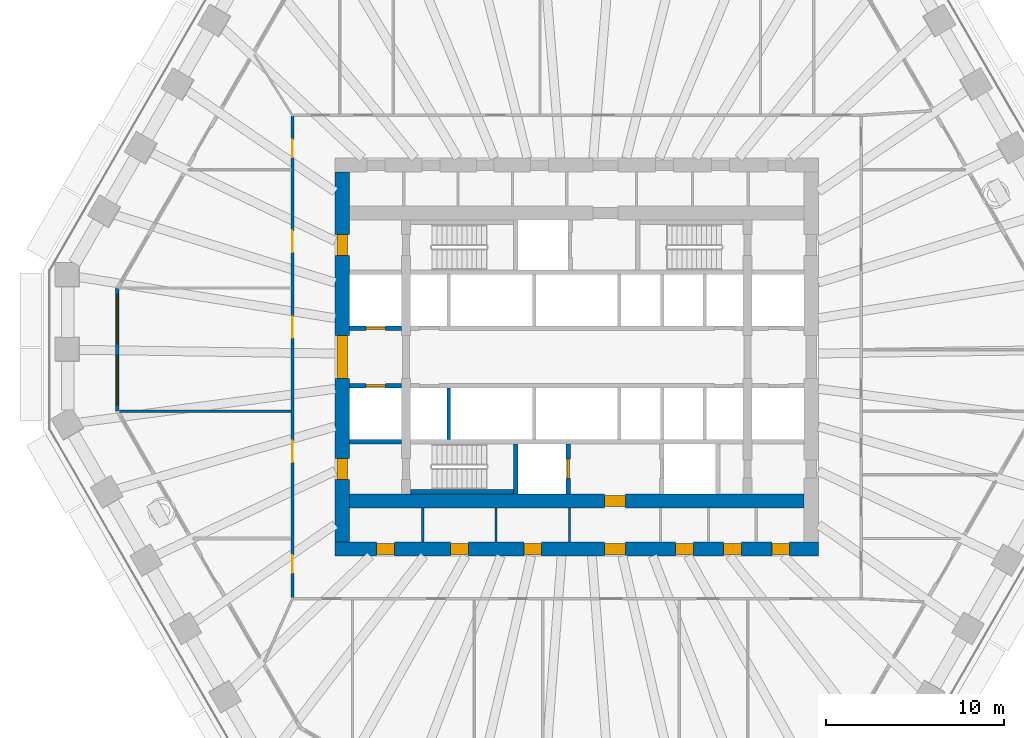
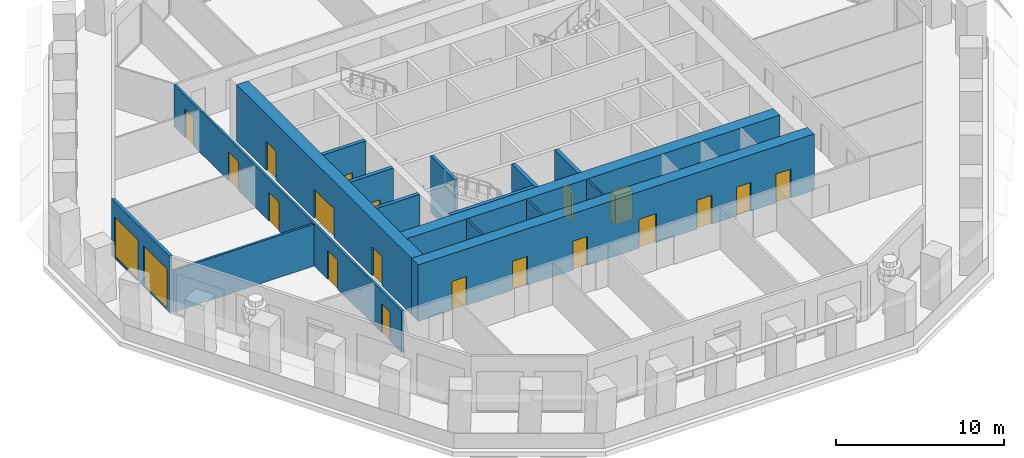
# One storey, part 4 of 13: 19 doors, 16 walls, 2 windows, 21 openings.
"""IFC4 building model written with IfcOpenShell, lengths in metres."""

from ifc_helpers import new_model, si_unit, direction, frame, frame_2d, origin, place, context, subcontext, project, spatial, polyline, rectangle, outline, extrude, material, layer, layer_set, type_object, element, fill, save


model = new_model("IFC4")

# Units and contexts
model_context = context("Model", 3, precision=1e-05, world=origin(), true_north=direction((0.0, 1.0)))
body_context = subcontext(model_context, "Body", "Model", "MODEL_VIEW")
ifc_project = project(units=[si_unit("LENGTHUNIT", "METRE"), si_unit("AREAUNIT", "SQUARE_METRE"), si_unit("VOLUMEUNIT", "CUBIC_METRE"), si_unit("PLANEANGLEUNIT", "RADIAN"), si_unit("MASSUNIT", "GRAM", prefix="KILO")], contexts=[model_context])

# Site, building, storey
site_placement = place(None, origin())
site = spatial("IfcSite", under=ifc_project, at=site_placement, CompositionType="ELEMENT")
building_placement = place(site_placement, origin())
building = spatial("IfcBuilding", under=site, at=building_placement, Name="Frailejon Research Tower", CompositionType="ELEMENT")
storey_placement = place(building_placement, frame((0.0, 0.0, 94.0)))
storey = spatial("IfcBuildingStorey", under=building, at=storey_placement, Name="L20", CompositionType="ELEMENT", Elevation=94.0)

# Walls
ifc_material_1 = material(Name="Plasterboard on steel studs", Category="steel")
ifc_layer_1 = layer(ifc_material_1, 0.125)
ifc_layer_set_1 = layer_set([ifc_layer_1], Name="Core partition 125")
wall_type_1 = type_object("IfcWallType", Name="Core partition 125", PredefinedType="PARTITIONING", material=ifc_layer_set_1)
for number, where, z_axis, x_axis, name in (
    (1, (-8.6708984375, -10.39990234375, 0.0), (0.0, 0.0, 1.0), (0.0, 1.0, 0.0), "Core partition"),
    (2, (-4.541748046875, -10.39990234375, 0.0), (0.0, 0.0, 1.0), (0.0, 1.0, 0.0), "Core partition"),
    (3, (-0.41259765625, -10.39990234375, 0.0), (0.0, 0.0, 1.0), (0.0, 1.0, 0.0), "Core partition"),
):
    element("IfcWall", number, at=place(storey_placement, frame(where, z_axis=z_axis, x_axis=x_axis)), inside=storey, type_object=wall_type_1, Name=name, PredefinedType="PARTITIONING", context=body_context, shape_type="SweptSolid", body=[
        extrude(rectangle(XDim=1.89990234375, YDim=0.125, at=frame_2d((0.949951171875, 0.0))), origin(), (0.0, 0.0, 1.0), 4.10009765625),
    ])

# Wall, openings, doors
ifc_material_2 = material(Name="Concrete C70/85", Category="concrete")
ifc_layer_2 = layer(ifc_material_2, 0.800048828125)
ifc_layer_set_2 = layer_set([ifc_layer_2], Name="Core shear wall 800 C70/85")
wall_type_2 = type_object("IfcWallType", Name="Core shear wall 800 C70/85", PredefinedType="SHEAR", material=ifc_layer_set_2)
wall_1_placement = place(storey_placement, frame((-13.60009765625, -10.800048828125, 0.0), z_axis=(0.0, 0.0, 1.0), x_axis=(1.0, 0.0, 0.0)))
wall_1 = element("IfcWall", 4, at=wall_1_placement, inside=storey, type_object=wall_type_2, Name="Core shear wall", PredefinedType="SHEAR", context=body_context, shape_type="SweptSolid", body=[
    extrude(rectangle(XDim=27.2001953125, YDim=0.800048828125, at=frame_2d((13.60009765625, 0.0))), origin(), (0.0, 0.0, 1.0), 4.10009765625),
])
opening_1_placement = place(wall_1_placement, frame((2.333251953125, 0.0, 0.0)))
opening_1 = element("IfcOpeningElement", 5, at=opening_1_placement, cuts=wall_1, Name="Opening D4", PredefinedType="OPENING", context=body_context, shape_type="SweptSolid", body=[
    extrude(rectangle(XDim=1.0, YDim=2.10009765625, at=frame_2d((0.5, 1.050048828125))), frame((0.0, 0.409912109375, 0.0), z_axis=(0.0, -1.0, 0.0), x_axis=(1.0, 0.0, 0.0)), (0.0, 0.0, 1.0), 0.820068359375),
])
opening_2_placement = place(wall_1_placement, frame((6.493896484375, 0.0, 0.0)))
opening_2 = element("IfcOpeningElement", 6, at=opening_2_placement, cuts=wall_1, Name="Opening D4", PredefinedType="OPENING", context=body_context, shape_type="SweptSolid", body=[
    extrude(rectangle(XDim=1.0, YDim=2.10009765625, at=frame_2d((0.5, 1.050048828125))), frame((0.0, 0.409912109375, 0.0), z_axis=(0.0, -1.0, 0.0), x_axis=(1.0, 0.0, 0.0)), (0.0, 0.0, 1.0), 0.820068359375),
])
opening_3_placement = place(wall_1_placement, frame((10.622802734375, 0.0, 0.0)))
opening_3 = element("IfcOpeningElement", 7, at=opening_3_placement, cuts=wall_1, Name="Opening D4", PredefinedType="OPENING", context=body_context, shape_type="SweptSolid", body=[
    extrude(rectangle(XDim=1.0, YDim=2.10009765625, at=frame_2d((0.5, 1.050048828125))), frame((0.0, 0.409912109375, 0.0), z_axis=(0.0, -1.0, 0.0), x_axis=(1.0, 0.0, 0.0)), (0.0, 0.0, 1.0), 0.820068359375),
])
opening_4_placement = place(wall_1_placement, frame((19.160400390625, 0.0, 0.0)))
opening_4 = element("IfcOpeningElement", 8, at=opening_4_placement, cuts=wall_1, Name="Opening D4", PredefinedType="OPENING", context=body_context, shape_type="SweptSolid", body=[
    extrude(rectangle(XDim=1.0, YDim=2.10009765625, at=frame_2d((0.5, 1.050048828125))), frame((0.0, 0.409912109375, 0.0), z_axis=(0.0, -1.0, 0.0), x_axis=(1.0, 0.0, 0.0)), (0.0, 0.0, 1.0), 0.820068359375),
])
opening_5_placement = place(wall_1_placement, frame((21.856201171875, 0.0, 0.0)))
opening_5 = element("IfcOpeningElement", 9, at=opening_5_placement, cuts=wall_1, Name="Opening D4", PredefinedType="OPENING", context=body_context, shape_type="SweptSolid", body=[
    extrude(rectangle(XDim=1.0, YDim=2.10009765625, at=frame_2d((0.5, 1.050048828125))), frame((0.0, 0.409912109375, 0.0), z_axis=(0.0, -1.0, 0.0), x_axis=(1.0, 0.0, 0.0)), (0.0, 0.0, 1.0), 0.820068359375),
])
opening_6_placement = place(wall_1_placement, frame((24.583251953125, 0.0, 0.0)))
opening_6 = element("IfcOpeningElement", 10, at=opening_6_placement, cuts=wall_1, Name="Opening D4", PredefinedType="OPENING", context=body_context, shape_type="SweptSolid", body=[
    extrude(rectangle(XDim=1.0, YDim=2.10009765625, at=frame_2d((0.5, 1.050048828125))), frame((0.0, 0.409912109375, 0.0), z_axis=(0.0, -1.0, 0.0), x_axis=(1.0, 0.0, 0.0)), (0.0, 0.0, 1.0), 0.820068359375),
])
opening_7_placement = place(wall_1_placement, frame((15.14990234375, 0.0, 0.0)))
opening_7 = element("IfcOpeningElement", 11, at=opening_7_placement, cuts=wall_1, Name="Opening D3", PredefinedType="OPENING", context=body_context, shape_type="SweptSolid", body=[
    extrude(rectangle(XDim=1.199951171875, YDim=2.10009765625, at=frame_2d((0.60009765625, 1.050048828125))), frame((0.0, 0.409912109375, 0.0), z_axis=(0.0, -1.0, 0.0), x_axis=(1.0, 0.0, 0.0)), (0.0, 0.0, 1.0), 0.820068359375),
])
ifc_material_3 = material(Name="Steel", Category="steel")
door_type_1 = type_object("IfcDoorType", Name="Firefighting lobby door", OperationType="SINGLE_SWING_LEFT", PredefinedType="DOOR", material=ifc_material_3)
door_1_placement = place(opening_7_placement, origin())
door_1 = element("IfcDoor", 12, at=door_1_placement, inside=storey, type_object=door_type_1, Name="Passage door", OperationType="SINGLE_SWING_LEFT", OverallHeight=2.10009765625, OverallWidth=1.199951171875, PredefinedType="DOOR", context=body_context, shape_type="SweptSolid", body=[
    extrude(rectangle(XDim=1.199951171875, YDim=2.10009765625, at=frame_2d((0.60009765625, 1.050048828125))), frame((0.0, 0.300048828125, 0.0), z_axis=(0.0, -1.0, 0.0), x_axis=(1.0, 0.0, 0.0)), (0.0, 0.0, 1.0), 0.60009765625),
])
fill(opening_7, door_1)
ifc_material_4 = material(Name="Steel", Category="steel")
door_type_2 = type_object("IfcDoorType", Name="Service door", OperationType="SINGLE_SWING_LEFT", PredefinedType="DOOR", material=ifc_material_4)
door_2_placement = place(opening_1_placement, origin())
door_2 = element("IfcDoor", 13, at=door_2_placement, inside=storey, type_object=door_type_2, Name="Room door", OperationType="SINGLE_SWING_LEFT", OverallHeight=2.10009765625, OverallWidth=1.0, PredefinedType="DOOR", context=body_context, shape_type="SweptSolid", body=[
    extrude(rectangle(XDim=1.0, YDim=2.10009765625, at=frame_2d((0.5, 1.050048828125))), frame((0.0, 0.300048828125, 0.0), z_axis=(0.0, -1.0, 0.0), x_axis=(1.0, 0.0, 0.0)), (0.0, 0.0, 1.0), 0.60009765625),
])
fill(opening_1, door_2)
door_3_placement = place(opening_2_placement, origin())
door_3 = element("IfcDoor", 14, at=door_3_placement, inside=storey, type_object=door_type_2, Name="Room door", OperationType="SINGLE_SWING_RIGHT", OverallHeight=2.10009765625, OverallWidth=1.0, PredefinedType="DOOR", context=body_context, shape_type="SweptSolid", body=[
    extrude(rectangle(XDim=1.0, YDim=2.10009765625, at=frame_2d((0.5, 1.050048828125))), frame((0.0, 0.300048828125, 0.0), z_axis=(0.0, -1.0, 0.0), x_axis=(1.0, 0.0, 0.0)), (0.0, 0.0, 1.0), 0.60009765625),
])
fill(opening_2, door_3)
door_4_placement = place(opening_3_placement, origin())
door_4 = element("IfcDoor", 15, at=door_4_placement, inside=storey, type_object=door_type_2, Name="Room door", OperationType="SINGLE_SWING_LEFT", OverallHeight=2.10009765625, OverallWidth=1.0, PredefinedType="DOOR", context=body_context, shape_type="SweptSolid", body=[
    extrude(rectangle(XDim=1.0, YDim=2.10009765625, at=frame_2d((0.5, 1.050048828125))), frame((0.0, 0.300048828125, 0.0), z_axis=(0.0, -1.0, 0.0), x_axis=(1.0, 0.0, 0.0)), (0.0, 0.0, 1.0), 0.60009765625),
])
fill(opening_3, door_4)
door_5_placement = place(opening_4_placement, origin())
door_5 = element("IfcDoor", 16, at=door_5_placement, inside=storey, type_object=door_type_2, Name="Room door", OperationType="SINGLE_SWING_RIGHT", OverallHeight=2.10009765625, OverallWidth=1.0, PredefinedType="DOOR", context=body_context, shape_type="SweptSolid", body=[
    extrude(rectangle(XDim=1.0, YDim=2.10009765625, at=frame_2d((0.5, 1.050048828125))), frame((0.0, 0.300048828125, 0.0), z_axis=(0.0, -1.0, 0.0), x_axis=(1.0, 0.0, 0.0)), (0.0, 0.0, 1.0), 0.60009765625),
])
fill(opening_4, door_5)
door_6_placement = place(opening_5_placement, origin())
door_6 = element("IfcDoor", 17, at=door_6_placement, inside=storey, type_object=door_type_2, Name="Room door", OperationType="SINGLE_SWING_LEFT", OverallHeight=2.10009765625, OverallWidth=1.0, PredefinedType="DOOR", context=body_context, shape_type="SweptSolid", body=[
    extrude(rectangle(XDim=1.0, YDim=2.10009765625, at=frame_2d((0.5, 1.050048828125))), frame((0.0, 0.300048828125, 0.0), z_axis=(0.0, -1.0, 0.0), x_axis=(1.0, 0.0, 0.0)), (0.0, 0.0, 1.0), 0.60009765625),
])
fill(opening_5, door_6)
door_7_placement = place(opening_6_placement, origin())
door_7 = element("IfcDoor", 18, at=door_7_placement, inside=storey, type_object=door_type_2, Name="Room door", OperationType="SINGLE_SWING_RIGHT", OverallHeight=2.10009765625, OverallWidth=1.0, PredefinedType="DOOR", context=body_context, shape_type="SweptSolid", body=[
    extrude(rectangle(XDim=1.0, YDim=2.10009765625, at=frame_2d((0.5, 1.050048828125))), frame((0.0, 0.300048828125, 0.0), z_axis=(0.0, -1.0, 0.0), x_axis=(1.0, 0.0, 0.0)), (0.0, 0.0, 1.0), 0.60009765625),
])
fill(opening_6, door_7)

wall_2_placement = place(storey_placement, frame((-13.199951171875, -10.39990234375, 0.0), z_axis=(0.0, 0.0, 1.0), x_axis=(0.0, 1.0, 0.0)))
wall_2 = element("IfcWall", 19, at=wall_2_placement, inside=storey, type_object=wall_type_2, Name="Core shear wall", PredefinedType="SHEAR", context=body_context, shape_type="SweptSolid", body=[
    extrude(rectangle(XDim=20.7998046875, YDim=0.800048828125, at=frame_2d((10.39990234375, 0.0))), origin(), (0.0, 0.0, 1.0), 4.10009765625),
])
opening_8_placement = place(wall_2_placement, frame((9.199951171875, 0.0, 0.0)))
opening_8 = element("IfcOpeningElement", 20, at=opening_8_placement, cuts=wall_2, Name="Opening D2", PredefinedType="OPENING", context=body_context, shape_type="SweptSolid", body=[
    extrude(rectangle(XDim=2.39990234375, YDim=2.10009765625, at=frame_2d((1.199951171875, 1.050048828125))), frame((0.0, 0.409912109375, 0.0), z_axis=(0.0, -1.0, 0.0), x_axis=(1.0, 0.0, 0.0)), (0.0, 0.0, 1.0), 0.820068359375),
])
opening_9_placement = place(wall_2_placement, frame((16.10009765625, 0.0, 0.0)))
opening_9 = element("IfcOpeningElement", 21, at=opening_9_placement, cuts=wall_2, Name="Opening D7", PredefinedType="OPENING", context=body_context, shape_type="SweptSolid", body=[
    extrude(rectangle(XDim=1.199951171875, YDim=2.10009765625, at=frame_2d((0.60009765625, 1.050048828125))), frame((0.0, 0.409912109375, 0.0), z_axis=(0.0, -1.0, 0.0), x_axis=(1.0, 0.0, 0.0)), (0.0, 0.0, 1.0), 0.820068359375),
])
opening_10_placement = place(wall_2_placement, frame((3.5, 0.0, 0.0)))
opening_10 = element("IfcOpeningElement", 22, at=opening_10_placement, cuts=wall_2, Name="Opening D7", PredefinedType="OPENING", context=body_context, shape_type="SweptSolid", body=[
    extrude(rectangle(XDim=1.199951171875, YDim=2.10009765625, at=frame_2d((0.60009765625, 1.050048828125))), frame((0.0, 0.409912109375, 0.0), z_axis=(0.0, -1.0, 0.0), x_axis=(1.0, 0.0, 0.0)), (0.0, 0.0, 1.0), 0.820068359375),
])
ifc_material_5 = material(Name="Steel", Category="steel")
door_type_3 = type_object("IfcDoorType", Name="Lobby double door", OperationType="DOUBLE_DOOR_SINGLE_SWING", PredefinedType="DOOR", material=ifc_material_5)
door_8_placement = place(opening_8_placement, origin())
door_8 = element("IfcDoor", 23, at=door_8_placement, inside=storey, type_object=door_type_3, Name="Lobby door", OperationType="DOUBLE_DOOR_SINGLE_SWING", OverallHeight=2.10009765625, OverallWidth=2.39990234375, PredefinedType="DOOR", context=body_context, shape_type="SweptSolid", body=[
    extrude(rectangle(XDim=2.39990234375, YDim=2.10009765625, at=frame_2d((1.199951171875, 1.050048828125))), frame((0.0, 0.300048828125, 0.0), z_axis=(0.0, -1.0, 0.0), x_axis=(1.0, 0.0, 0.0)), (0.0, 0.0, 1.0), 0.60009765625),
])
fill(opening_8, door_8)
ifc_material_6 = material(Name="Steel", Category="steel")
door_type_4 = type_object("IfcDoorType", Name="Stair exit door", OperationType="SINGLE_SWING_LEFT", PredefinedType="DOOR", material=ifc_material_6)
door_9_placement = place(opening_9_placement, origin())
door_9 = element("IfcDoor", 24, at=door_9_placement, inside=storey, type_object=door_type_4, Name="Stair exit door ST1", OperationType="SINGLE_SWING_RIGHT", OverallHeight=2.10009765625, OverallWidth=1.199951171875, PredefinedType="DOOR", context=body_context, shape_type="SweptSolid", body=[
    extrude(rectangle(XDim=1.199951171875, YDim=2.10009765625, at=frame_2d((0.60009765625, 1.050048828125))), frame((0.0, 0.300048828125, 0.0), z_axis=(0.0, -1.0, 0.0), x_axis=(1.0, 0.0, 0.0)), (0.0, 0.0, 1.0), 0.60009765625),
])
fill(opening_9, door_9)
door_10_placement = place(opening_10_placement, origin())
door_10 = element("IfcDoor", 25, at=door_10_placement, inside=storey, type_object=door_type_4, Name="Stair exit door ST2", OperationType="SINGLE_SWING_RIGHT", OverallHeight=2.10009765625, OverallWidth=1.199951171875, PredefinedType="DOOR", context=body_context, shape_type="SweptSolid", body=[
    extrude(rectangle(XDim=1.199951171875, YDim=2.10009765625, at=frame_2d((0.60009765625, 1.050048828125))), frame((0.0, 0.300048828125, 0.0), z_axis=(0.0, -1.0, 0.0), x_axis=(1.0, 0.0, 0.0)), (0.0, 0.0, 1.0), 0.60009765625),
])
fill(opening_10, door_10)

# Wall, opening, door
wall_3_placement = place(storey_placement, frame((-12.800048828125, -8.10009765625, 0.0), z_axis=(0.0, 0.0, 1.0), x_axis=(1.0, 0.0, 0.0)))
wall_3 = element("IfcWall", 26, at=wall_3_placement, inside=storey, type_object=wall_type_2, Name="Core shear wall", PredefinedType="SHEAR", context=body_context, shape_type="SweptSolid", body=[
    extrude(rectangle(XDim=25.60009765625, YDim=0.800048828125, at=frame_2d((12.800048828125, 0.0))), origin(), (0.0, 0.0, 1.0), 4.10009765625),
])
opening_11_placement = place(wall_3_placement, frame((14.35009765625, 0.0, 0.0)))
opening_11 = element("IfcOpeningElement", 27, at=opening_11_placement, cuts=wall_3, Name="Opening D3", PredefinedType="OPENING", context=body_context, shape_type="SweptSolid", body=[
    extrude(rectangle(XDim=1.199951171875, YDim=2.10009765625, at=frame_2d((0.60009765625, 1.050048828125))), frame((0.0, 0.409912109375, 0.0), z_axis=(0.0, -1.0, 0.0), x_axis=(1.0, 0.0, 0.0)), (0.0, 0.0, 1.0), 0.820068359375),
])
door_11_placement = place(opening_11_placement, origin())
door_11 = element("IfcDoor", 28, at=door_11_placement, inside=storey, type_object=door_type_1, Name="Firefighting lobby door", OperationType="SINGLE_SWING_LEFT", OverallHeight=2.10009765625, OverallWidth=1.199951171875, PredefinedType="DOOR", context=body_context, shape_type="SweptSolid", body=[
    extrude(rectangle(XDim=1.199951171875, YDim=2.10009765625, at=frame_2d((0.60009765625, 1.050048828125))), frame((0.0, 0.300048828125, 0.0), z_axis=(0.0, -1.0, 0.0), x_axis=(1.0, 0.0, 0.0)), (0.0, 0.0, 1.0), 0.60009765625),
])
fill(opening_11, door_11)

# Wall, openings, doors
ifc_material_7 = material(Name="Gypsum board and masonry partition", Category="masonry")
ifc_layer_3 = layer(ifc_material_7, 0.14990234375)
ifc_layer_set_3 = layer_set([ifc_layer_3], Name="Corridor wall EI 60, gypsum on steel studs 150")
wall_type_3 = type_object("IfcWallType", Name="Corridor wall EI 60, gypsum on steel studs 150", PredefinedType="PARTITIONING", material=ifc_layer_set_3)
wall_4_placement = place(storey_placement, frame((-16.0, -13.52490234375, 0.0), z_axis=(0.0, 0.0, 1.0), x_axis=(0.0, 1.0, 0.0)))
wall_4 = element("IfcWall", 29, at=wall_4_placement, inside=storey, type_object=wall_type_3, Name="T:IW:L20:003", PredefinedType="PARTITIONING", context=body_context, shape_type="SweptSolid", body=[
    extrude(rectangle(XDim=27.074951171875, YDim=0.14990234375, at=frame_2d((13.53759765625, 0.0))), origin(), (0.0, 0.0, 1.0), 3.050048828125),
])
opening_12_placement = place(wall_4_placement, frame((24.75634765625, 0.0, 0.0)))
opening_12 = element("IfcOpeningElement", 30, at=opening_12_placement, cuts=wall_4, Name="Opening D1536", PredefinedType="OPENING", context=body_context, shape_type="SweptSolid", body=[
    extrude(rectangle(XDim=1.0, YDim=2.10009765625, at=frame_2d((0.5, 1.050048828125))), frame((0.0, 0.0849609375, 0.0), z_axis=(0.0, -1.0, 0.0), x_axis=(1.0, 0.0, 0.0)), (0.0, 0.0, 1.0), 0.169921875),
])
opening_13_placement = place(wall_4_placement, frame((19.4208984375, 0.0, 0.0)))
opening_13 = element("IfcOpeningElement", 31, at=opening_13_placement, cuts=wall_4, Name="Opening D1537", PredefinedType="OPENING", context=body_context, shape_type="SweptSolid", body=[
    extrude(rectangle(XDim=1.199951171875, YDim=2.10009765625, at=frame_2d((0.60009765625, 1.050048828125))), frame((0.0, 0.0849609375, 0.0), z_axis=(0.0, -1.0, 0.0), x_axis=(1.0, 0.0, 0.0)), (0.0, 0.0, 1.0), 0.169921875),
])
opening_14_placement = place(wall_4_placement, frame((14.596923828125, 0.0, 0.0)))
opening_14 = element("IfcOpeningElement", 32, at=opening_14_placement, cuts=wall_4, Name="Opening D1538", PredefinedType="OPENING", context=body_context, shape_type="SweptSolid", body=[
    extrude(rectangle(XDim=1.199951171875, YDim=2.10009765625, at=frame_2d((0.60009765625, 1.050048828125))), frame((0.0, 0.0849609375, 0.0), z_axis=(0.0, -1.0, 0.0), x_axis=(1.0, 0.0, 0.0)), (0.0, 0.0, 1.0), 0.169921875),
])
opening_15_placement = place(wall_4_placement, frame((7.610595703125, 0.0, 0.0)))
opening_15 = element("IfcOpeningElement", 33, at=opening_15_placement, cuts=wall_4, Name="Opening D1539", PredefinedType="OPENING", context=body_context, shape_type="SweptSolid", body=[
    extrude(rectangle(XDim=1.199951171875, YDim=2.10009765625, at=frame_2d((0.60009765625, 1.050048828125))), frame((0.0, 0.0849609375, 0.0), z_axis=(0.0, -1.0, 0.0), x_axis=(1.0, 0.0, 0.0)), (0.0, 0.0, 1.0), 0.169921875),
])
opening_16_placement = place(wall_4_placement, frame((1.37353515625, 0.0, 0.0)))
opening_16 = element("IfcOpeningElement", 34, at=opening_16_placement, cuts=wall_4, Name="Opening D1540", PredefinedType="OPENING", context=body_context, shape_type="SweptSolid", body=[
    extrude(rectangle(XDim=1.0, YDim=2.10009765625, at=frame_2d((0.5, 1.050048828125))), frame((0.0, 0.0849609375, 0.0), z_axis=(0.0, -1.0, 0.0), x_axis=(1.0, 0.0, 0.0)), (0.0, 0.0, 1.0), 0.169921875),
])
ifc_material_8 = material(Name="Timber door leaf", Category="wood")
door_type_5 = type_object("IfcDoorType", Name="Door laboratory, timber, vision panel 1200", OperationType="NOTDEFINED", PredefinedType="DOOR", material=ifc_material_8)
door_12_placement = place(opening_15_placement, origin())
door_12 = element("IfcDoor", 35, at=door_12_placement, inside=storey, type_object=door_type_5, Name="D1539", OperationType="DOUBLE_DOOR_SINGLE_SWING", OverallHeight=2.10009765625, OverallWidth=1.199951171875, PredefinedType="DOOR", context=body_context, shape_type="SweptSolid", body=[
    extrude(rectangle(XDim=1.199951171875, YDim=2.10009765625, at=frame_2d((0.60009765625, 1.050048828125))), frame((0.0, 0.02490234375, 0.0), z_axis=(0.0, -1.0, 0.0), x_axis=(1.0, 0.0, 0.0)), (0.0, 0.0, 1.0), 0.050048828125),
])
fill(opening_15, door_12)
ifc_material_9 = material(Name="Timber door leaf", Category="wood")
door_type_6 = type_object("IfcDoorType", Name="Door single leaf, timber, steel frame 1000", OperationType="NOTDEFINED", PredefinedType="DOOR", material=ifc_material_9)
door_13_placement = place(opening_12_placement, origin())
door_13 = element("IfcDoor", 36, at=door_13_placement, inside=storey, type_object=door_type_6, Name="D1536", OperationType="SINGLE_SWING_RIGHT", OverallHeight=2.10009765625, OverallWidth=1.0, PredefinedType="DOOR", context=body_context, shape_type="SweptSolid", body=[
    extrude(rectangle(XDim=1.0, YDim=2.10009765625, at=frame_2d((0.5, 1.050048828125))), frame((0.0, 0.02490234375, 0.0), z_axis=(0.0, -1.0, 0.0), x_axis=(1.0, 0.0, 0.0)), (0.0, 0.0, 1.0), 0.050048828125),
])
fill(opening_12, door_13)
door_14_placement = place(opening_16_placement, origin())
door_14 = element("IfcDoor", 37, at=door_14_placement, inside=storey, type_object=door_type_6, Name="D1540", OperationType="SINGLE_SWING_LEFT", OverallHeight=2.10009765625, OverallWidth=1.0, PredefinedType="DOOR", context=body_context, shape_type="SweptSolid", body=[
    extrude(rectangle(XDim=1.0, YDim=2.10009765625, at=frame_2d((0.5, 1.050048828125))), frame((0.0, 0.02490234375, 0.0), z_axis=(0.0, -1.0, 0.0), x_axis=(1.0, 0.0, 0.0)), (0.0, 0.0, 1.0), 0.050048828125),
])
fill(opening_16, door_14)
ifc_material_10 = material(Name="Timber door leaf", Category="wood")
door_type_7 = type_object("IfcDoorType", Name="Door single leaf, timber, steel frame 1200", OperationType="NOTDEFINED", PredefinedType="DOOR", material=ifc_material_10)
door_15_placement = place(opening_13_placement, origin())
door_15 = element("IfcDoor", 38, at=door_15_placement, inside=storey, type_object=door_type_7, Name="D1537", OperationType="DOUBLE_DOOR_SINGLE_SWING", OverallHeight=2.10009765625, OverallWidth=1.199951171875, PredefinedType="DOOR", context=body_context, shape_type="SweptSolid", body=[
    extrude(rectangle(XDim=1.199951171875, YDim=2.10009765625, at=frame_2d((0.60009765625, 1.050048828125))), frame((0.0, 0.02490234375, 0.0), z_axis=(0.0, -1.0, 0.0), x_axis=(1.0, 0.0, 0.0)), (0.0, 0.0, 1.0), 0.050048828125),
])
fill(opening_13, door_15)
door_16_placement = place(opening_14_placement, origin())
door_16 = element("IfcDoor", 39, at=door_16_placement, inside=storey, type_object=door_type_7, Name="D1538", OperationType="DOUBLE_DOOR_SINGLE_SWING", OverallHeight=2.10009765625, OverallWidth=1.199951171875, PredefinedType="DOOR", context=body_context, shape_type="SweptSolid", body=[
    extrude(rectangle(XDim=1.199951171875, YDim=2.10009765625, at=frame_2d((0.60009765625, 1.050048828125))), frame((0.0, 0.02490234375, 0.0), z_axis=(0.0, -1.0, 0.0), x_axis=(1.0, 0.0, 0.0)), (0.0, 0.0, 1.0), 0.050048828125),
])
fill(opening_14, door_16)

# Walls
ifc_material_11 = material(Name="Gypsum board and masonry partition", Category="masonry")
ifc_layer_4 = layer(ifc_material_11, 0.14990234375)
ifc_layer_set_4 = layer_set([ifc_layer_4], Name="Laboratory partition, blockwork 150")
wall_type_4 = type_object("IfcWallType", Name="Laboratory partition, blockwork 150", PredefinedType="PARTITIONING", material=ifc_layer_set_4)
wall_5_placement = place(storey_placement, frame((-25.721435546875, -3.04931640625, 0.0), z_axis=(0.0, 0.0, 1.0), x_axis=(1.0, 0.0, 0.0)))
element("IfcWall", 40, at=wall_5_placement, inside=storey, type_object=wall_type_4, Name="T:IW:L20:007", PredefinedType="PARTITIONING", context=body_context, shape_type="SweptSolid", body=[
    extrude(rectangle(XDim=9.646484375, YDim=0.14990234375, at=frame_2d((4.8232421875, 0.0))), origin(), (0.0, 0.0, 1.0), 3.050048828125),
])
ifc_material_12 = material(Name="Concrete C70/85", Category="concrete")
ifc_layer_5 = layer(ifc_material_12, 0.199951171875)
ifc_layer_set_5 = layer_set([ifc_layer_5], Name="Shaft wall 200 C70/85")
wall_type_5 = type_object("IfcWallType", Name="Shaft wall 200 C70/85", PredefinedType="SOLIDWALL", material=ifc_layer_set_5)
wall_6_placement = place(storey_placement, frame((-7.199951171875, -4.64990234375, 0.0), z_axis=(0.0, 0.0, 1.0), x_axis=(0.0, 1.0, 0.0)))
element("IfcWall", 41, at=wall_6_placement, inside=storey, type_object=wall_type_5, Name="Shaft wall", PredefinedType="SOLIDWALL", context=body_context, shape_type="SweptSolid", body=[
    extrude(rectangle(XDim=2.89990234375, YDim=0.199951171875, at=frame_2d((1.449951171875, 0.0))), origin(), (0.0, 0.0, 1.0), 4.10009765625),
])

# Wall, opening, door
ifc_material_13 = material(Name="Concrete C70/85", Category="concrete")
ifc_layer_6 = layer(ifc_material_13, 0.25)
ifc_layer_set_6 = layer_set([ifc_layer_6], Name="Shaft wall 250 C70/85")
wall_type_6 = type_object("IfcWallType", Name="Shaft wall 250 C70/85", PredefinedType="SOLIDWALL", material=ifc_layer_set_6)
wall_7_placement = place(storey_placement, frame((-12.800048828125, 1.625, 0.0), z_axis=(0.0, 0.0, 1.0), x_axis=(1.0, 0.0, 0.0)))
wall_7 = element("IfcWall", 42, at=wall_7_placement, inside=storey, type_object=wall_type_6, Name="Shaft wall", PredefinedType="SOLIDWALL", context=body_context, shape_type="SweptSolid", body=[
    extrude(rectangle(XDim=2.949951171875, YDim=0.25, at=frame_2d((1.47509765625, 0.0))), origin(), (0.0, 0.0, 1.0), 4.10009765625),
])
opening_17_placement = place(wall_7_placement, frame((0.925048828125, 0.0, 0.0)))
opening_17 = element("IfcOpeningElement", 43, at=opening_17_placement, cuts=wall_7, Name="Opening LD", PredefinedType="OPENING", context=body_context, shape_type="SweptSolid", body=[
    extrude(rectangle(XDim=1.10009765625, YDim=2.10009765625, at=frame_2d((0.550048828125, 1.050048828125))), frame((0.0, 0.135009765625, 0.0), z_axis=(0.0, -1.0, 0.0), x_axis=(1.0, 0.0, 0.0)), (0.0, 0.0, 1.0), 0.27001953125),
])
ifc_material_14 = material(Name="Steel", Category="steel")
door_type_8 = type_object("IfcDoorType", Name="Lift landing door", OperationType="DOUBLE_DOOR_SLIDING", PredefinedType="DOOR", material=ifc_material_14)
door_17_placement = place(opening_17_placement, origin())
door_17 = element("IfcDoor", 44, at=door_17_placement, inside=storey, type_object=door_type_8, Name="Lift landing door", OperationType="DOUBLE_DOOR_SLIDING", OverallHeight=2.10009765625, OverallWidth=1.10009765625, PredefinedType="DOOR", context=body_context, shape_type="SweptSolid", body=[
    extrude(rectangle(XDim=1.10009765625, YDim=2.10009765625, at=frame_2d((0.550048828125, 1.050048828125))), frame((0.0, 0.074951171875, 0.0), z_axis=(0.0, -1.0, 0.0), x_axis=(1.0, 0.0, 0.0)), (0.0, 0.0, 1.0), 0.14990234375),
])
fill(opening_17, door_17)

wall_8_placement = place(storey_placement, frame((-12.800048828125, -1.625, 0.0), z_axis=(0.0, 0.0, 1.0), x_axis=(1.0, 0.0, 0.0)))
wall_8 = element("IfcWall", 45, at=wall_8_placement, inside=storey, type_object=wall_type_6, Name="Shaft wall", PredefinedType="SOLIDWALL", context=body_context, shape_type="SweptSolid", body=[
    extrude(rectangle(XDim=2.949951171875, YDim=0.25, at=frame_2d((1.47509765625, 0.0))), origin(), (0.0, 0.0, 1.0), 4.10009765625),
])
opening_18_placement = place(wall_8_placement, frame((0.925048828125, 0.0, 0.0)))
opening_18 = element("IfcOpeningElement", 46, at=opening_18_placement, cuts=wall_8, Name="Opening LD", PredefinedType="OPENING", context=body_context, shape_type="SweptSolid", body=[
    extrude(rectangle(XDim=1.10009765625, YDim=2.10009765625, at=frame_2d((0.550048828125, 1.050048828125))), frame((0.0, 0.135009765625, 0.0), z_axis=(0.0, -1.0, 0.0), x_axis=(1.0, 0.0, 0.0)), (0.0, 0.0, 1.0), 0.27001953125),
])
door_18_placement = place(opening_18_placement, origin())
door_18 = element("IfcDoor", 47, at=door_18_placement, inside=storey, type_object=door_type_8, Name="Lift landing door", OperationType="DOUBLE_DOOR_SLIDING", OverallHeight=2.10009765625, OverallWidth=1.10009765625, PredefinedType="DOOR", context=body_context, shape_type="SweptSolid", body=[
    extrude(rectangle(XDim=1.10009765625, YDim=2.10009765625, at=frame_2d((0.550048828125, 1.050048828125))), frame((0.0, 0.074951171875, 0.0), z_axis=(0.0, -1.0, 0.0), x_axis=(1.0, 0.0, 0.0)), (0.0, 0.0, 1.0), 0.14990234375),
])
fill(opening_18, door_18)

# Walls
wall_9_placement = place(storey_placement, frame((-12.800048828125, -4.77490234375, 0.0), z_axis=(0.0, 0.0, 1.0), x_axis=(1.0, 0.0, 0.0)))
element("IfcWall", 48, at=wall_9_placement, inside=storey, type_object=wall_type_6, Name="Shaft wall", PredefinedType="SOLIDWALL", context=body_context, shape_type="SweptSolid", body=[
    extrude(rectangle(XDim=2.949951171875, YDim=0.25, at=frame_2d((1.47509765625, 0.0))), origin(), (0.0, 0.0, 1.0), 4.10009765625),
])
wall_10_placement = place(storey_placement, frame((-9.35009765625, -7.574951171875, 0.0), z_axis=(0.0, 0.0, 1.0), x_axis=(1.0, 0.0, 0.0)))
element("IfcWall", 49, at=wall_10_placement, inside=storey, type_object=wall_type_6, Name="Shaft wall", PredefinedType="SOLIDWALL", context=body_context, shape_type="SweptSolid", body=[
    extrude(rectangle(XDim=5.800048828125, YDim=0.25, at=frame_2d((2.89990234375, 0.0))), origin(), (0.0, 0.0, 1.0), 4.10009765625),
])
wall_11_placement = place(storey_placement, frame((-3.425048828125, -7.699951171875, 0.0), z_axis=(0.0, 0.0, 1.0), x_axis=(0.0, 1.0, 0.0)))
element("IfcWall", 50, at=wall_11_placement, inside=storey, type_object=wall_type_6, Name="Shaft wall", PredefinedType="SOLIDWALL", context=body_context, shape_type="SweptSolid", body=[
    extrude(rectangle(XDim=2.800048828125, YDim=0.25, at=frame_2d((1.39990234375, 0.0))), origin(), (0.0, 0.0, 1.0), 4.10009765625),
])

# Wall, opening, door
wall_12_placement = place(storey_placement, frame((-0.47509765625, -7.699951171875, 0.0), z_axis=(0.0, 0.0, 1.0), x_axis=(0.0, 1.0, 0.0)))
wall_12 = element("IfcWall", 51, at=wall_12_placement, inside=storey, type_object=wall_type_6, Name="Shaft wall", PredefinedType="SOLIDWALL", context=body_context, shape_type="SweptSolid", body=[
    extrude(rectangle(XDim=2.800048828125, YDim=0.25, at=frame_2d((1.39990234375, 0.0))), origin(), (0.0, 0.0, 1.0), 4.10009765625),
])
opening_19_placement = place(wall_12_placement, frame((0.85009765625, 0.0, 0.0)))
opening_19 = element("IfcOpeningElement", 52, at=opening_19_placement, cuts=wall_12, Name="Opening LD", PredefinedType="OPENING", context=body_context, shape_type="SweptSolid", body=[
    extrude(rectangle(XDim=1.10009765625, YDim=2.10009765625, at=frame_2d((0.550048828125, 1.050048828125))), frame((0.0, 0.135009765625, 0.0), z_axis=(0.0, -1.0, 0.0), x_axis=(1.0, 0.0, 0.0)), (0.0, 0.0, 1.0), 0.27001953125),
])
door_19_placement = place(opening_19_placement, origin())
door_19 = element("IfcDoor", 53, at=door_19_placement, inside=storey, type_object=door_type_8, Name="Lift landing door", OperationType="DOUBLE_DOOR_SLIDING", OverallHeight=2.10009765625, OverallWidth=1.10009765625, PredefinedType="DOOR", context=body_context, shape_type="SweptSolid", body=[
    extrude(rectangle(XDim=1.10009765625, YDim=2.10009765625, at=frame_2d((0.550048828125, 1.050048828125))), frame((0.0, 0.074951171875, 0.0), z_axis=(0.0, -1.0, 0.0), x_axis=(1.0, 0.0, 0.0)), (0.0, 0.0, 1.0), 0.14990234375),
])
fill(opening_19, door_19)

# Wall, openings, windows
ifc_material_15 = material(Name="Concrete C40/50 precast window wall panel", Category="concrete")
ifc_layer_7 = layer(ifc_material_15, 0.199951171875)
ifc_layer_set_7 = layer_set([ifc_layer_7], Name="Window wall 200")
wall_type_7 = type_object("IfcWallType", Name="Window wall 200", PredefinedType="SOLIDWALL", material=ifc_layer_set_7)
wall_13_placement = place(storey_placement, frame((-25.852294921875, 3.85205078125, 0.0), z_axis=(0.0, 0.0, 1.0), x_axis=(0.0, -1.0, 0.0)))
wall_13 = element("IfcWall", 54, at=wall_13_placement, inside=storey, type_object=wall_type_7, Name="Exterior wall L20", PredefinedType="SOLIDWALL", context=body_context, shape_type="SweptSolid", body=[
    extrude(outline(polyline([(-0.02685546875, -0.10009765625), (1.1279296875, -0.10009765625), (2.282470703125, -0.10009765625), (3.437255859375, -0.10009765625), (4.592041015625, -0.10009765625), (5.74658203125, -0.10009765625), (6.9013671875, -0.10009765625), (6.84765625, 0.10009765625), (5.7109375, 0.10009765625), (4.573974609375, 0.10009765625), (3.437255859375, 0.10009765625), (2.300537109375, 0.10009765625), (1.16357421875, 0.10009765625), (0.02685546875, 0.10009765625), (-0.02685546875, -0.10009765625)])), origin(), (0.0, 0.0, 1.0), 4.10009765625),
])
opening_20_placement = place(wall_13_placement, frame((0.318603515625, 0.0, 0.10009765625)))
opening_20 = element("IfcOpeningElement", 55, at=opening_20_placement, cuts=wall_13, Name="Opening W3", PredefinedType="OPENING", context=body_context, shape_type="SweptSolid", body=[
    extrude(rectangle(XDim=2.800048828125, YDim=2.89990234375, at=frame_2d((1.39990234375, 1.449951171875))), frame((0.0, 0.10986328125, 0.0), z_axis=(0.0, -1.0, 0.0), x_axis=(1.0, 0.0, 0.0)), (0.0, 0.0, 1.0), 0.219970703125),
])
opening_21_placement = place(wall_13_placement, frame((3.756103515625, 0.0, 0.10009765625)))
opening_21 = element("IfcOpeningElement", 56, at=opening_21_placement, cuts=wall_13, Name="Opening W3", PredefinedType="OPENING", context=body_context, shape_type="SweptSolid", body=[
    extrude(rectangle(XDim=2.800048828125, YDim=2.89990234375, at=frame_2d((1.39990234375, 1.449951171875))), frame((0.0, 0.10986328125, 0.0), z_axis=(0.0, -1.0, 0.0), x_axis=(1.0, 0.0, 0.0)), (0.0, 0.0, 1.0), 0.219970703125),
])
ifc_material_16 = material(Name="Aluminium framed double glazing", Category="aluminium")
window_type = type_object("IfcWindowType", Name="Window 2800x2900", PartitioningType="SINGLE_PANEL", PredefinedType="WINDOW", material=ifc_material_16)
window_1_placement = place(opening_20_placement, origin())
window_1 = element("IfcWindow", 57, at=window_1_placement, inside=storey, type_object=window_type, Name="Window L20", OverallHeight=2.89990234375, OverallWidth=2.800048828125, PartitioningType="SINGLE_PANEL", PredefinedType="WINDOW", context=body_context, shape_type="SweptSolid", body=[
    extrude(rectangle(XDim=2.800048828125, YDim=2.89990234375, at=frame_2d((1.39990234375, 1.449951171875))), frame((0.0, 0.030029296875, 0.0), z_axis=(0.0, -1.0, 0.0), x_axis=(1.0, 0.0, 0.0)), (0.0, 0.0, 1.0), 0.06005859375),
])
fill(opening_20, window_1)
window_2_placement = place(opening_21_placement, origin())
window_2 = element("IfcWindow", 58, at=window_2_placement, inside=storey, type_object=window_type, Name="Window L20", OverallHeight=2.89990234375, OverallWidth=2.800048828125, PartitioningType="SINGLE_PANEL", PredefinedType="WINDOW", context=body_context, shape_type="SweptSolid", body=[
    extrude(rectangle(XDim=2.800048828125, YDim=2.89990234375, at=frame_2d((1.39990234375, 1.449951171875))), frame((0.0, 0.030029296875, 0.0), z_axis=(0.0, -1.0, 0.0), x_axis=(1.0, 0.0, 0.0)), (0.0, 0.0, 1.0), 0.06005859375),
])
fill(opening_21, window_2)

save(model, "model.ifc")
